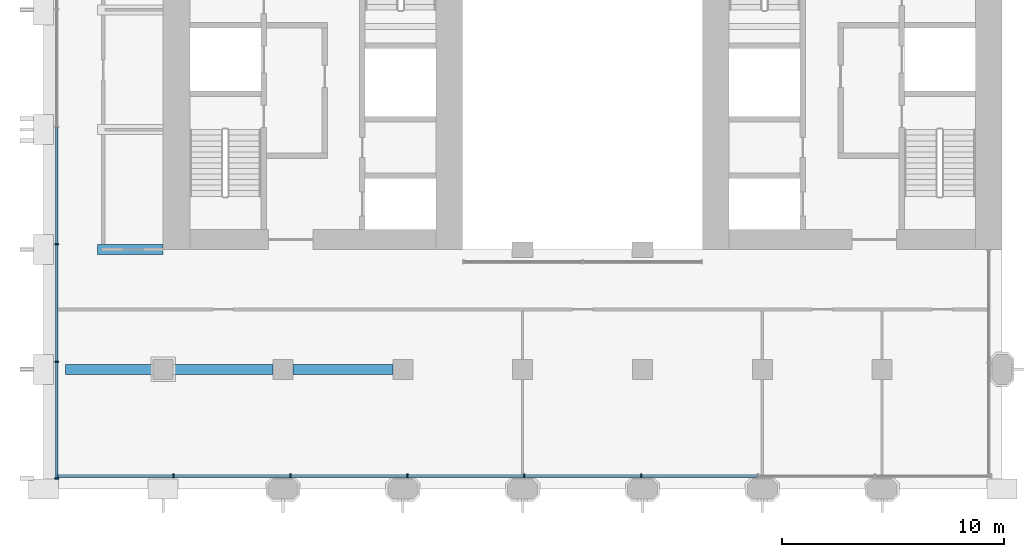
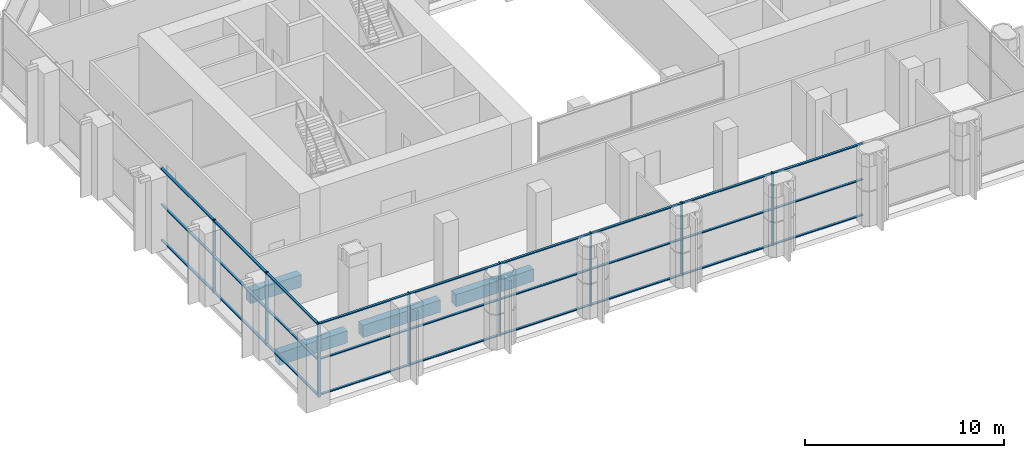
# One storey, part 2 of 15: 36 members, 4 beams, 2 elements without a shape of their own.
"""IFC4 building model written with IfcOpenShell, lengths in metres."""

import ifcopenshell
import ifcopenshell.guid

model = None  # the IFC model being written
_history = None  # IfcOwnerHistory: only IFC2X3 demands one
_inside = {}  # id of a spatial element -> (the spatial element, [elements in it])
_under = {}  # id of a project, library or spatial element -> (it, [spatial elements below it])
_declared = {}  # id of a project -> (the project, [libraries it declares])
_typed = {}  # id of a type object -> (the type object, [elements of that type])
_made_of = {}  # id of a material, layer set ... -> (it, [elements and type objects made of it])


def new_model(schema):
    """Start an empty IFC model of exactly this schema.

    Asked for "IFC4X3", IfcOpenShell would pick the latest addendum, in which some entities
    have other attributes; the version numbers below select the first issue.
    IFC2X3 requires an IfcOwnerHistory on every rooted entity: one is made here for all.
    """
    global model, _history
    if schema == "IFC4X3":
        model = ifcopenshell.file(schema_version=(4, 3, 0, 0))
    else:
        model = ifcopenshell.file(schema=schema)
    _inside.clear()
    _under.clear()
    _declared.clear()
    _typed.clear()
    _made_of.clear()
    _history = None
    if model.schema == "IFC2X3":
        org = make("IfcOrganization", Name="unknown")
        user = make(
            "IfcPersonAndOrganization",
            ThePerson=make("IfcPerson", FamilyName="unknown"),
            TheOrganization=org,
        )
        app = make(
            "IfcApplication",
            ApplicationDeveloper=org,
            Version="unknown",
            ApplicationFullName="unknown",
            ApplicationIdentifier="unknown",
        )
        _history = make(
            "IfcOwnerHistory",
            OwningUser=user,
            OwningApplication=app,
            ChangeAction="ADDED",
            CreationDate=0,
        )
    return model


def make(cls, **values):
    """One entity of the class cls with the attributes given. An attribute that is None is left unset."""
    return model.create_entity(
        cls, **{name: value for name, value in values.items() if value is not None}
    )


def rooted(cls, **values):
    """An entity with a GlobalId (a new one), such as an element, a storey or a relation."""
    return make(cls, GlobalId=ifcopenshell.guid.new(), OwnerHistory=_history, **values)


def si_unit(unit_type, name, prefix=None):
    """IfcSIUnit, for example si_unit("LENGTHUNIT", "METRE", prefix="MILLI")."""
    return make("IfcSIUnit", UnitType=unit_type, Prefix=prefix, Name=name)


def assignment(units):
    """IfcUnitAssignment: the units of a project."""
    return None if units is None else make("IfcUnitAssignment", Units=units)


def point(xyz):
    """IfcCartesianPoint."""
    return None if xyz is None else make("IfcCartesianPoint", Coordinates=xyz)


def direction(xyz):
    """IfcDirection."""
    return None if xyz is None else make("IfcDirection", DirectionRatios=xyz)


def frame(location, z_axis=None, x_axis=None):
    """IfcAxis2Placement3D, a coordinate frame: its origin and axes. An axis left out is left unset."""
    return make(
        "IfcAxis2Placement3D",
        Location=point(location),
        Axis=direction(z_axis),
        RefDirection=direction(x_axis),
    )


def frame_2d(location, x_axis=None):
    """IfcAxis2Placement2D, a coordinate frame in the plane: its origin and x axis."""
    return make(
        "IfcAxis2Placement2D", Location=point(location), RefDirection=direction(x_axis)
    )


def origin():
    """The frame at (0, 0, 0) with its axes left unset."""
    return frame((0.0, 0.0, 0.0))


def origin_2d():
    """The frame at (0, 0) in the plane with its x axis left unset."""
    return frame_2d((0.0, 0.0))


def place(relative_to, where):
    """IfcLocalPlacement: puts the frame where relative to a parent placement (None: the world)."""
    return make(
        "IfcLocalPlacement", PlacementRelTo=relative_to, RelativePlacement=where
    )


def context(
    kind, dimensions, precision=None, world=None, true_north=None, identifier=None
):
    """IfcGeometricRepresentationContext, for example the 3D "Model" context."""
    return make(
        "IfcGeometricRepresentationContext",
        ContextIdentifier=identifier,
        ContextType=kind,
        CoordinateSpaceDimension=dimensions,
        Precision=precision,
        WorldCoordinateSystem=world,
        TrueNorth=true_north,
    )


def subcontext(parent, identifier, kind, view, scale=None):
    """IfcGeometricRepresentationSubContext, for example "Body" below "Model"."""
    return make(
        "IfcGeometricRepresentationSubContext",
        ContextIdentifier=identifier,
        ContextType=kind,
        ParentContext=parent,
        TargetScale=scale,
        TargetView=view,
    )


def project(units=None, contexts=None):
    """IfcProject with its units and contexts."""
    return rooted(
        "IfcProject",
        Name="project",
        RepresentationContexts=contexts,
        UnitsInContext=assignment(units),
    )


def spatial(cls, under=None, at=None, **own):
    """A site, building, storey or space (cls), placed at a placement, below another one or the project."""
    s = rooted(cls, ObjectPlacement=at, **own)
    if under is not None:
        _under.setdefault(under.id(), (under, []))[1].append(s)
    return s


def profile(cls, at=None, kind="AREA", **sizes):
    """A parametric profile (cls). Its sizes go by their IFC names, for example OverallWidth=200.0."""
    return make(cls, ProfileType=kind, Position=at, **sizes)


def rectangle(**sizes):
    """IfcRectangleProfileDef."""
    return profile("IfcRectangleProfileDef", **sizes)


def extrude(swept, where, along, depth):
    """IfcExtrudedAreaSolid: the profile swept, set in the frame where, extruded along a direction by depth."""
    return make(
        "IfcExtrudedAreaSolid",
        SweptArea=swept,
        Position=where,
        ExtrudedDirection=direction(along),
        Depth=depth,
    )


def shape(context_of_items, identifier, shape_type, items):
    """IfcShapeRepresentation: the items that make up one representation, for example the "Body"."""
    return make(
        "IfcShapeRepresentation",
        ContextOfItems=context_of_items,
        RepresentationIdentifier=identifier,
        RepresentationType=shape_type,
        Items=items,
    )


def material(Name=None, Category=None):
    """IfcMaterial."""
    return make("IfcMaterial", Name=Name, Category=Category)


def material_profile(
    of_material, cross_section, Name=None, Category=None, Priority=None
):
    """IfcMaterialProfile: a cross section and its material."""
    return make(
        "IfcMaterialProfile",
        Name=Name,
        Material=of_material,
        Profile=cross_section,
        Priority=Priority,
        Category=Category,
    )


def profile_set(profiles, Name=None, composite=None):
    """IfcMaterialProfileSet."""
    return make(
        "IfcMaterialProfileSet",
        Name=Name,
        MaterialProfiles=profiles,
        CompositeProfile=composite,
    )


def made_of(thing, what):
    """Note that an element or type object is made of a material, layer set ...; save() writes the relation."""
    if what is not None:
        _made_of.setdefault(what.id(), (what, []))[1].append(thing)
    return thing


def type_object(cls, material=None, **own):
    """A type object (cls), such as IfcWallType, which elements share."""
    return made_of(rooted(cls, **own), material)


def element(
    cls,
    number,
    at=None,
    inside=None,
    cuts=None,
    type_object=None,
    material=None,
    context=None,
    identifier="Body",
    shape_type=None,
    held_by="IfcProductDefinitionShape",
    body=None,
    shapes=None,
    **own,
):
    """One element of the class cls, such as IfcWall. Its Tag is "e" and its number.

    at: its placement. inside: the storey or other place that contains it. cuts: it is an
    opening in that element (IfcRelVoidsElement). A single representation is given by context,
    identifier, shape_type and body (its items); several are given by shapes. held_by: the class
    of the entity that holds the representations. save() writes the other relations.
    """
    e = rooted(cls, Tag="e%d" % number, ObjectPlacement=at, **own)
    if body is not None:
        shapes = [shape(context, identifier, shape_type, body)]
    if shapes is not None:
        e.Representation = make(held_by, Representations=shapes)
    if inside is not None:
        _inside.setdefault(inside.id(), (inside, []))[1].append(e)
    if cuts is not None:
        rooted(
            "IfcRelVoidsElement", RelatingBuildingElement=cuts, RelatedOpeningElement=e
        )
    if type_object is not None:
        _typed.setdefault(type_object.id(), (type_object, []))[1].append(e)
    return made_of(e, material)


def aggregate(whole, parts):
    """IfcRelAggregates: a whole, such as a stair, and the parts it consists of."""
    return rooted("IfcRelAggregates", RelatingObject=whole, RelatedObjects=parts)


def save(model, path):
    """Write the relations noted so far, then the file.

    IfcRelAggregates (storeys below a building ...), IfcRelContainedInSpatialStructure (elements
    in a storey), IfcRelDefinesByType, IfcRelAssociatesMaterial and IfcRelDeclares: one each for
    every whole, place, type object, material and project.
    """
    for whole, parts in _under.values():
        aggregate(whole, parts)
    for where, things in _inside.values():
        rooted(
            "IfcRelContainedInSpatialStructure",
            RelatedElements=things,
            RelatingStructure=where,
        )
    for kind, things in _typed.values():
        rooted("IfcRelDefinesByType", RelatedObjects=things, RelatingType=kind)
    for what, things in _made_of.values():
        rooted("IfcRelAssociatesMaterial", RelatedObjects=things, RelatingMaterial=what)
    for by, libraries in _declared.values():
        rooted("IfcRelDeclares", RelatingContext=by, RelatedDefinitions=libraries)
    model.write(path)


model = new_model("IFC4")

# Units and contexts
model_context = context("Model", 3, precision=1e-05, world=origin(), true_north=direction((0.0, 1.0)))
body_context = subcontext(model_context, "Body", "Model", "MODEL_VIEW")
ifc_project = project(units=[si_unit("LENGTHUNIT", "METRE"), si_unit("AREAUNIT", "SQUARE_METRE"), si_unit("VOLUMEUNIT", "CUBIC_METRE"), si_unit("PLANEANGLEUNIT", "RADIAN"), si_unit("MASSUNIT", "GRAM", prefix="KILO")], contexts=[model_context])

# Site, building, storey
site_placement = place(None, origin())
site = spatial("IfcSite", under=ifc_project, at=site_placement, CompositionType="ELEMENT")
building_placement = place(site_placement, origin())
building = spatial("IfcBuilding", under=site, at=building_placement, Name="Tabaq Tower and Sports Hall", CompositionType="ELEMENT")
storey_placement = place(building_placement, frame((0.0, 0.0, 148.0)))
storey = spatial("IfcBuildingStorey", under=building, at=storey_placement, Name="L34", CompositionType="ELEMENT", Elevation=148.0)

# Curtain wall, members
ifc_material_1 = material(Name="Aluminium alloy 6063-T6 framed glazing", Category="aluminium")
curtain_wall_type = type_object("IfcCurtainWallType", Name="CW3 curtain wall", PredefinedType="USERDEFINED", material=ifc_material_1)
curtain_wall_1_placement = place(storey_placement, origin())
curtain_wall_1 = element("IfcCurtainWall", 1, at=curtain_wall_1_placement, inside=storey, type_object=curtain_wall_type, Name="Garden Floor Wall L34 S", ObjectType="GARDEN FLOOR WALL", PredefinedType="USERDEFINED")
ifc_material_2 = material(Name="Aluminium alloy 6063-T6", Category="aluminium")
ifc_material_profile_1 = material_profile(ifc_material_2, rectangle(XDim=0.179931640625, YDim=0.06005859375, at=origin_2d()), Name="MULLION 180x60")
ifc_profile_set_1 = profile_set([ifc_material_profile_1], Name="Aluminium alloy 6063-T6")
member_type_1 = type_object("IfcMemberType", Name="CW3 mullion 180x60", PredefinedType="MULLION", material=ifc_profile_set_1)
member_1_placement = place(storey_placement, frame((0.6298828125, 6.0, 0.0), z_axis=(0.0, 0.0, 1.0), x_axis=(0.0, 1.0, 0.0)))
member_1 = element("IfcMember", 2, at=member_1_placement, type_object=member_type_1, Name="CW3 mullion 1", PredefinedType="MULLION", context=body_context, shape_type="SweptSolid", body=[
    extrude(rectangle(XDim=0.179931640625, YDim=0.06005859375, at=origin_2d()), origin(), (0.0, 0.0, 1.0), 4.5),
])
member_2_placement = place(storey_placement, frame((5.86865234375, 6.0, 0.0), z_axis=(0.0, 0.0, 1.0), x_axis=(0.0, 1.0, 0.0)))
member_2 = element("IfcMember", 3, at=member_2_placement, type_object=member_type_1, Name="CW3 mullion 2", PredefinedType="MULLION", context=body_context, shape_type="SweptSolid", body=[
    extrude(rectangle(XDim=0.179931640625, YDim=0.06005859375, at=origin_2d()), origin(), (0.0, 0.0, 1.0), 4.5),
])
member_3_placement = place(storey_placement, frame((11.137451171875, 6.0, 0.0), z_axis=(0.0, 0.0, 1.0), x_axis=(0.0, 1.0, 0.0)))
member_3 = element("IfcMember", 4, at=member_3_placement, type_object=member_type_1, Name="CW3 mullion 3", PredefinedType="MULLION", context=body_context, shape_type="SweptSolid", body=[
    extrude(rectangle(XDim=0.179931640625, YDim=0.06005859375, at=origin_2d()), origin(), (0.0, 0.0, 1.0), 4.5),
])
member_4_placement = place(storey_placement, frame((16.40625, 6.0, 0.0), z_axis=(0.0, 0.0, 1.0), x_axis=(0.0, 1.0, 0.0)))
member_4 = element("IfcMember", 5, at=member_4_placement, type_object=member_type_1, Name="CW3 mullion 4", PredefinedType="MULLION", context=body_context, shape_type="SweptSolid", body=[
    extrude(rectangle(XDim=0.179931640625, YDim=0.06005859375, at=origin_2d()), origin(), (0.0, 0.0, 1.0), 4.5),
])
member_5_placement = place(storey_placement, frame((21.675048828125, 6.0, 0.0), z_axis=(0.0, 0.0, 1.0), x_axis=(0.0, 1.0, 0.0)))
member_5 = element("IfcMember", 6, at=member_5_placement, type_object=member_type_1, Name="CW3 mullion 5", PredefinedType="MULLION", context=body_context, shape_type="SweptSolid", body=[
    extrude(rectangle(XDim=0.179931640625, YDim=0.06005859375, at=origin_2d()), origin(), (0.0, 0.0, 1.0), 4.5),
])
member_6_placement = place(storey_placement, frame((26.94384765625, 6.0, 0.0), z_axis=(0.0, 0.0, 1.0), x_axis=(0.0, 1.0, 0.0)))
member_6 = element("IfcMember", 7, at=member_6_placement, type_object=member_type_1, Name="CW3 mullion 6", PredefinedType="MULLION", context=body_context, shape_type="SweptSolid", body=[
    extrude(rectangle(XDim=0.179931640625, YDim=0.06005859375, at=origin_2d()), origin(), (0.0, 0.0, 1.0), 4.5),
])

curtain_wall_2_placement = place(storey_placement, origin())
curtain_wall_2 = element("IfcCurtainWall", 8, at=curtain_wall_2_placement, inside=storey, type_object=curtain_wall_type, Name="Garden Floor Wall L34 W", ObjectType="GARDEN FLOOR WALL", PredefinedType="USERDEFINED")
member_7_placement = place(storey_placement, frame((0.60009765625, 16.43798828125, 0.0), z_axis=(0.0, 0.0, 1.0), x_axis=(1.0, 0.0, 0.0)))
member_7 = element("IfcMember", 9, at=member_7_placement, type_object=member_type_1, Name="CW3 mullion 5", PredefinedType="MULLION", context=body_context, shape_type="SweptSolid", body=[
    extrude(rectangle(XDim=0.179931640625, YDim=0.06005859375, at=origin_2d()), origin(), (0.0, 0.0, 1.0), 4.5),
])
member_8_placement = place(storey_placement, frame((0.60009765625, 11.14404296875, 0.0), z_axis=(0.0, 0.0, 1.0), x_axis=(1.0, 0.0, 0.0)))
member_8 = element("IfcMember", 10, at=member_8_placement, type_object=member_type_1, Name="CW3 mullion 6", PredefinedType="MULLION", context=body_context, shape_type="SweptSolid", body=[
    extrude(rectangle(XDim=0.179931640625, YDim=0.06005859375, at=origin_2d()), origin(), (0.0, 0.0, 1.0), 4.5),
])
member_9_placement = place(storey_placement, frame((0.60009765625, 5.8798828125, 0.0), z_axis=(0.0, 0.0, 1.0), x_axis=(1.0, 0.0, 0.0)))
member_9 = element("IfcMember", 11, at=member_9_placement, type_object=member_type_1, Name="CW3 mullion 7", PredefinedType="MULLION", context=body_context, shape_type="SweptSolid", body=[
    extrude(rectangle(XDim=0.179931640625, YDim=0.06005859375, at=origin_2d()), origin(), (0.0, 0.0, 1.0), 4.5),
])

# Member
ifc_material_3 = material(Name="Aluminium alloy 6063-T6", Category="aluminium")
ifc_material_profile_2 = material_profile(ifc_material_3, rectangle(XDim=0.139892578125, YDim=0.06005859375, at=origin_2d()), Name="TRANSOM 140x60")
ifc_profile_set_2 = profile_set([ifc_material_profile_2], Name="Aluminium alloy 6063-T6")
member_type_2 = type_object("IfcMemberType", Name="CW3 transom 140x60", PredefinedType="USERDEFINED", material=ifc_profile_set_2)
member_10_placement = place(storey_placement, frame((0.659912109375, 6.0, 0.070068359375), z_axis=(1.0, 0.0, 0.0), x_axis=(0.0, 1.0, 0.0)))
member_10 = element("IfcMember", 12, at=member_10_placement, type_object=member_type_2, Name="CW3 transom 1.1", ObjectType="TRANSOM", PredefinedType="USERDEFINED", context=body_context, shape_type="SweptSolid", body=[
    extrude(rectangle(XDim=0.139892578125, YDim=0.06005859375, at=origin_2d()), origin(), (0.0, 0.0, 1.0), 5.178955078125),
])

member_11_placement = place(storey_placement, frame((0.659912109375, 6.0, 2.25), z_axis=(1.0, 0.0, 0.0), x_axis=(0.0, 1.0, 0.0)))
member_11 = element("IfcMember", 13, at=member_11_placement, type_object=member_type_2, Name="CW3 transom 1.2", ObjectType="TRANSOM", PredefinedType="USERDEFINED", context=body_context, shape_type="SweptSolid", body=[
    extrude(rectangle(XDim=0.139892578125, YDim=0.06005859375, at=origin_2d()), origin(), (0.0, 0.0, 1.0), 5.178955078125),
])

member_12_placement = place(storey_placement, frame((0.659912109375, 6.0, 4.429931640625), z_axis=(1.0, 0.0, 0.0), x_axis=(0.0, 1.0, 0.0)))
member_12 = element("IfcMember", 14, at=member_12_placement, type_object=member_type_2, Name="CW3 transom 1.3", ObjectType="TRANSOM", PredefinedType="USERDEFINED", context=body_context, shape_type="SweptSolid", body=[
    extrude(rectangle(XDim=0.139892578125, YDim=0.06005859375, at=origin_2d()), origin(), (0.0, 0.0, 1.0), 5.178955078125),
])

member_13_placement = place(storey_placement, frame((5.898681640625, 6.0, 0.070068359375), z_axis=(1.0, 0.0, 0.0), x_axis=(0.0, 1.0, 0.0)))
member_13 = element("IfcMember", 15, at=member_13_placement, type_object=member_type_2, Name="CW3 transom 2.1", ObjectType="TRANSOM", PredefinedType="USERDEFINED", context=body_context, shape_type="SweptSolid", body=[
    extrude(rectangle(XDim=0.139892578125, YDim=0.06005859375, at=origin_2d()), origin(), (0.0, 0.0, 1.0), 5.208740234375),
])

member_14_placement = place(storey_placement, frame((5.898681640625, 6.0, 2.25), z_axis=(1.0, 0.0, 0.0), x_axis=(0.0, 1.0, 0.0)))
member_14 = element("IfcMember", 16, at=member_14_placement, type_object=member_type_2, Name="CW3 transom 2.2", ObjectType="TRANSOM", PredefinedType="USERDEFINED", context=body_context, shape_type="SweptSolid", body=[
    extrude(rectangle(XDim=0.139892578125, YDim=0.06005859375, at=origin_2d()), origin(), (0.0, 0.0, 1.0), 5.208740234375),
])

member_15_placement = place(storey_placement, frame((5.898681640625, 6.0, 4.429931640625), z_axis=(1.0, 0.0, 0.0), x_axis=(0.0, 1.0, 0.0)))
member_15 = element("IfcMember", 17, at=member_15_placement, type_object=member_type_2, Name="CW3 transom 2.3", ObjectType="TRANSOM", PredefinedType="USERDEFINED", context=body_context, shape_type="SweptSolid", body=[
    extrude(rectangle(XDim=0.139892578125, YDim=0.06005859375, at=origin_2d()), origin(), (0.0, 0.0, 1.0), 5.208740234375),
])

member_16_placement = place(storey_placement, frame((11.16748046875, 6.0, 0.070068359375), z_axis=(1.0, 0.0, 0.0), x_axis=(0.0, 1.0, 0.0)))
member_16 = element("IfcMember", 18, at=member_16_placement, type_object=member_type_2, Name="CW3 transom 3.1", ObjectType="TRANSOM", PredefinedType="USERDEFINED", context=body_context, shape_type="SweptSolid", body=[
    extrude(rectangle(XDim=0.139892578125, YDim=0.06005859375, at=origin_2d()), origin(), (0.0, 0.0, 1.0), 5.208740234375),
])

member_17_placement = place(storey_placement, frame((11.16748046875, 6.0, 2.25), z_axis=(1.0, 0.0, 0.0), x_axis=(0.0, 1.0, 0.0)))
member_17 = element("IfcMember", 19, at=member_17_placement, type_object=member_type_2, Name="CW3 transom 3.2", ObjectType="TRANSOM", PredefinedType="USERDEFINED", context=body_context, shape_type="SweptSolid", body=[
    extrude(rectangle(XDim=0.139892578125, YDim=0.06005859375, at=origin_2d()), origin(), (0.0, 0.0, 1.0), 5.208740234375),
])

member_18_placement = place(storey_placement, frame((11.16748046875, 6.0, 4.429931640625), z_axis=(1.0, 0.0, 0.0), x_axis=(0.0, 1.0, 0.0)))
member_18 = element("IfcMember", 20, at=member_18_placement, type_object=member_type_2, Name="CW3 transom 3.3", ObjectType="TRANSOM", PredefinedType="USERDEFINED", context=body_context, shape_type="SweptSolid", body=[
    extrude(rectangle(XDim=0.139892578125, YDim=0.06005859375, at=origin_2d()), origin(), (0.0, 0.0, 1.0), 5.208740234375),
])

member_19_placement = place(storey_placement, frame((16.436279296875, 6.0, 0.070068359375), z_axis=(1.0, 0.0, 0.0), x_axis=(0.0, 1.0, 0.0)))
member_19 = element("IfcMember", 21, at=member_19_placement, type_object=member_type_2, Name="CW3 transom 4.1", ObjectType="TRANSOM", PredefinedType="USERDEFINED", context=body_context, shape_type="SweptSolid", body=[
    extrude(rectangle(XDim=0.139892578125, YDim=0.06005859375, at=origin_2d()), origin(), (0.0, 0.0, 1.0), 5.208740234375),
])

member_20_placement = place(storey_placement, frame((16.436279296875, 6.0, 2.25), z_axis=(1.0, 0.0, 0.0), x_axis=(0.0, 1.0, 0.0)))
member_20 = element("IfcMember", 22, at=member_20_placement, type_object=member_type_2, Name="CW3 transom 4.2", ObjectType="TRANSOM", PredefinedType="USERDEFINED", context=body_context, shape_type="SweptSolid", body=[
    extrude(rectangle(XDim=0.139892578125, YDim=0.06005859375, at=origin_2d()), origin(), (0.0, 0.0, 1.0), 5.208740234375),
])

member_21_placement = place(storey_placement, frame((16.436279296875, 6.0, 4.429931640625), z_axis=(1.0, 0.0, 0.0), x_axis=(0.0, 1.0, 0.0)))
member_21 = element("IfcMember", 23, at=member_21_placement, type_object=member_type_2, Name="CW3 transom 4.3", ObjectType="TRANSOM", PredefinedType="USERDEFINED", context=body_context, shape_type="SweptSolid", body=[
    extrude(rectangle(XDim=0.139892578125, YDim=0.06005859375, at=origin_2d()), origin(), (0.0, 0.0, 1.0), 5.208740234375),
])

member_22_placement = place(storey_placement, frame((21.705078125, 6.0, 0.070068359375), z_axis=(1.0, 0.0, 0.0), x_axis=(0.0, 1.0, 0.0)))
member_22 = element("IfcMember", 24, at=member_22_placement, type_object=member_type_2, Name="CW3 transom 5.1", ObjectType="TRANSOM", PredefinedType="USERDEFINED", context=body_context, shape_type="SweptSolid", body=[
    extrude(rectangle(XDim=0.139892578125, YDim=0.06005859375, at=origin_2d()), origin(), (0.0, 0.0, 1.0), 5.208740234375),
])

member_23_placement = place(storey_placement, frame((21.705078125, 6.0, 2.25), z_axis=(1.0, 0.0, 0.0), x_axis=(0.0, 1.0, 0.0)))
member_23 = element("IfcMember", 25, at=member_23_placement, type_object=member_type_2, Name="CW3 transom 5.2", ObjectType="TRANSOM", PredefinedType="USERDEFINED", context=body_context, shape_type="SweptSolid", body=[
    extrude(rectangle(XDim=0.139892578125, YDim=0.06005859375, at=origin_2d()), origin(), (0.0, 0.0, 1.0), 5.208740234375),
])

member_24_placement = place(storey_placement, frame((21.705078125, 6.0, 4.429931640625), z_axis=(1.0, 0.0, 0.0), x_axis=(0.0, 1.0, 0.0)))
member_24 = element("IfcMember", 26, at=member_24_placement, type_object=member_type_2, Name="CW3 transom 5.3", ObjectType="TRANSOM", PredefinedType="USERDEFINED", context=body_context, shape_type="SweptSolid", body=[
    extrude(rectangle(XDim=0.139892578125, YDim=0.06005859375, at=origin_2d()), origin(), (0.0, 0.0, 1.0), 5.208740234375),
])

member_25_placement = place(storey_placement, frame((26.9736328125, 6.0, 0.070068359375), z_axis=(1.0, 0.0, 0.0), x_axis=(0.0, 1.0, 0.0)))
member_25 = element("IfcMember", 27, at=member_25_placement, type_object=member_type_2, Name="CW3 transom 6.1", ObjectType="TRANSOM", PredefinedType="USERDEFINED", context=body_context, shape_type="SweptSolid", body=[
    extrude(rectangle(XDim=0.139892578125, YDim=0.06005859375, at=origin_2d()), origin(), (0.0, 0.0, 1.0), 5.208984375),
])

member_26_placement = place(storey_placement, frame((26.9736328125, 6.0, 2.25), z_axis=(1.0, 0.0, 0.0), x_axis=(0.0, 1.0, 0.0)))
member_26 = element("IfcMember", 28, at=member_26_placement, type_object=member_type_2, Name="CW3 transom 6.2", ObjectType="TRANSOM", PredefinedType="USERDEFINED", context=body_context, shape_type="SweptSolid", body=[
    extrude(rectangle(XDim=0.139892578125, YDim=0.06005859375, at=origin_2d()), origin(), (0.0, 0.0, 1.0), 5.208984375),
])

member_27_placement = place(storey_placement, frame((26.9736328125, 6.0, 4.429931640625), z_axis=(1.0, 0.0, 0.0), x_axis=(0.0, 1.0, 0.0)))
member_27 = element("IfcMember", 29, at=member_27_placement, type_object=member_type_2, Name="CW3 transom 6.3", ObjectType="TRANSOM", PredefinedType="USERDEFINED", context=body_context, shape_type="SweptSolid", body=[
    extrude(rectangle(XDim=0.139892578125, YDim=0.06005859375, at=origin_2d()), origin(), (0.0, 0.0, 1.0), 5.208984375),
])

aggregate(curtain_wall_1, [member_1, member_2, member_3, member_4, member_5, member_6, member_10, member_11, member_12, member_13, member_14, member_15, member_16, member_17, member_18, member_19, member_20, member_21, member_22, member_23, member_24, member_25, member_26, member_27])

member_28_placement = place(storey_placement, frame((0.60009765625, 21.701904296875, 0.070068359375), z_axis=(0.0, -1.0, 0.0), x_axis=(1.0, 0.0, 0.0)))
member_28 = element("IfcMember", 30, at=member_28_placement, type_object=member_type_2, Name="CW3 transom 4.1", ObjectType="TRANSOM", PredefinedType="USERDEFINED", context=body_context, shape_type="SweptSolid", body=[
    extrude(rectangle(XDim=0.139892578125, YDim=0.06005859375, at=origin_2d()), origin(), (0.0, 0.0, 1.0), 5.234130859375),
])

member_29_placement = place(storey_placement, frame((0.60009765625, 21.701904296875, 2.25), z_axis=(0.0, -1.0, 0.0), x_axis=(1.0, 0.0, 0.0)))
member_29 = element("IfcMember", 31, at=member_29_placement, type_object=member_type_2, Name="CW3 transom 4.2", ObjectType="TRANSOM", PredefinedType="USERDEFINED", context=body_context, shape_type="SweptSolid", body=[
    extrude(rectangle(XDim=0.139892578125, YDim=0.06005859375, at=origin_2d()), origin(), (0.0, 0.0, 1.0), 5.234130859375),
])

member_30_placement = place(storey_placement, frame((0.60009765625, 21.701904296875, 4.429931640625), z_axis=(0.0, -1.0, 0.0), x_axis=(1.0, 0.0, 0.0)))
member_30 = element("IfcMember", 32, at=member_30_placement, type_object=member_type_2, Name="CW3 transom 4.3", ObjectType="TRANSOM", PredefinedType="USERDEFINED", context=body_context, shape_type="SweptSolid", body=[
    extrude(rectangle(XDim=0.139892578125, YDim=0.06005859375, at=origin_2d()), origin(), (0.0, 0.0, 1.0), 5.234130859375),
])

member_31_placement = place(storey_placement, frame((0.60009765625, 16.407958984375, 0.070068359375), z_axis=(0.0, -1.0, 0.0), x_axis=(1.0, 0.0, 0.0)))
member_31 = element("IfcMember", 33, at=member_31_placement, type_object=member_type_2, Name="CW3 transom 5.1", ObjectType="TRANSOM", PredefinedType="USERDEFINED", context=body_context, shape_type="SweptSolid", body=[
    extrude(rectangle(XDim=0.139892578125, YDim=0.06005859375, at=origin_2d()), origin(), (0.0, 0.0, 1.0), 5.234130859375),
])

member_32_placement = place(storey_placement, frame((0.60009765625, 16.407958984375, 2.25), z_axis=(0.0, -1.0, 0.0), x_axis=(1.0, 0.0, 0.0)))
member_32 = element("IfcMember", 34, at=member_32_placement, type_object=member_type_2, Name="CW3 transom 5.2", ObjectType="TRANSOM", PredefinedType="USERDEFINED", context=body_context, shape_type="SweptSolid", body=[
    extrude(rectangle(XDim=0.139892578125, YDim=0.06005859375, at=origin_2d()), origin(), (0.0, 0.0, 1.0), 5.234130859375),
])

member_33_placement = place(storey_placement, frame((0.60009765625, 16.407958984375, 4.429931640625), z_axis=(0.0, -1.0, 0.0), x_axis=(1.0, 0.0, 0.0)))
member_33 = element("IfcMember", 35, at=member_33_placement, type_object=member_type_2, Name="CW3 transom 5.3", ObjectType="TRANSOM", PredefinedType="USERDEFINED", context=body_context, shape_type="SweptSolid", body=[
    extrude(rectangle(XDim=0.139892578125, YDim=0.06005859375, at=origin_2d()), origin(), (0.0, 0.0, 1.0), 5.234130859375),
])

member_34_placement = place(storey_placement, frame((0.60009765625, 11.114013671875, 0.070068359375), z_axis=(0.0, -1.0, 0.0), x_axis=(1.0, 0.0, 0.0)))
member_34 = element("IfcMember", 36, at=member_34_placement, type_object=member_type_2, Name="CW3 transom 6.1", ObjectType="TRANSOM", PredefinedType="USERDEFINED", context=body_context, shape_type="SweptSolid", body=[
    extrude(rectangle(XDim=0.139892578125, YDim=0.06005859375, at=origin_2d()), origin(), (0.0, 0.0, 1.0), 5.2041015625),
])

member_35_placement = place(storey_placement, frame((0.60009765625, 11.114013671875, 2.25), z_axis=(0.0, -1.0, 0.0), x_axis=(1.0, 0.0, 0.0)))
member_35 = element("IfcMember", 37, at=member_35_placement, type_object=member_type_2, Name="CW3 transom 6.2", ObjectType="TRANSOM", PredefinedType="USERDEFINED", context=body_context, shape_type="SweptSolid", body=[
    extrude(rectangle(XDim=0.139892578125, YDim=0.06005859375, at=origin_2d()), origin(), (0.0, 0.0, 1.0), 5.2041015625),
])

member_36_placement = place(storey_placement, frame((0.60009765625, 11.114013671875, 4.429931640625), z_axis=(0.0, -1.0, 0.0), x_axis=(1.0, 0.0, 0.0)))
member_36 = element("IfcMember", 38, at=member_36_placement, type_object=member_type_2, Name="CW3 transom 6.3", ObjectType="TRANSOM", PredefinedType="USERDEFINED", context=body_context, shape_type="SweptSolid", body=[
    extrude(rectangle(XDim=0.139892578125, YDim=0.06005859375, at=origin_2d()), origin(), (0.0, 0.0, 1.0), 5.2041015625),
])

aggregate(curtain_wall_2, [member_7, member_8, member_9, member_28, member_29, member_30, member_31, member_32, member_33, member_34, member_35, member_36])

# Beams
ifc_material_4 = material(Name="Concrete C40/50", Category="concrete")
ifc_material_profile_3 = material_profile(ifc_material_4, rectangle(XDim=0.449951171875, YDim=0.75, at=origin_2d()), Name="CB 450x750")
ifc_profile_set_3 = profile_set([ifc_material_profile_3], Name="Concrete C40/50")
beam_type = type_object("IfcBeamType", Name="PT CANTILEVER BEAM CB 450x750 C40/50", PredefinedType="BEAM", material=ifc_profile_set_3)
beam_1_placement = place(storey_placement, frame((1.0, 10.800048828125, -0.675048828125), z_axis=(1.0, 0.0, 0.0), x_axis=(0.0, 1.0, 0.0)))
element("IfcBeam", 39, at=beam_1_placement, inside=storey, type_object=beam_type, Name="Cantilever Beam L34 W2 span 1", PredefinedType="BEAM", context=body_context, shape_type="SweptSolid", body=[
    extrude(rectangle(XDim=0.449951171875, YDim=0.75, at=origin_2d()), origin(), (0.0, 0.0, 1.0), 3.949951171875),
])
for number, where, z_axis, x_axis, name in (
    (40, (5.85009765625, 10.800048828125, -0.675048828125), (1.0, 0.0, 0.0), (0.0, 1.0, 0.0), "Cantilever Beam L34 W2 span 2"),
    (41, (11.25, 10.800048828125, -0.675048828125), (1.0, 0.0, 0.0), (0.0, 1.0, 0.0), "Cantilever Beam L34 W2 span 3"),
):
    element("IfcBeam", number, at=place(storey_placement, frame(where, z_axis=z_axis, x_axis=x_axis)), inside=storey, type_object=beam_type, Name=name, PredefinedType="BEAM", context=body_context, shape_type="SweptSolid", body=[
        extrude(rectangle(XDim=0.449951171875, YDim=0.75, at=origin_2d()), origin(), (0.0, 0.0, 1.0), 4.5),
    ])
beam_2_placement = place(storey_placement, frame((2.449951171875, 16.199951171875, -0.675048828125), z_axis=(1.0, 0.0, 0.0), x_axis=(0.0, 1.0, 0.0)))
element("IfcBeam", 42, at=beam_2_placement, inside=storey, type_object=beam_type, Name="Cantilever Beam L34 W3 span 1", PredefinedType="BEAM", context=body_context, shape_type="SweptSolid", body=[
    extrude(rectangle(XDim=0.449951171875, YDim=0.75, at=origin_2d()), origin(), (0.0, 0.0, 1.0), 2.949951171875),
])

save(model, "model.ifc")
